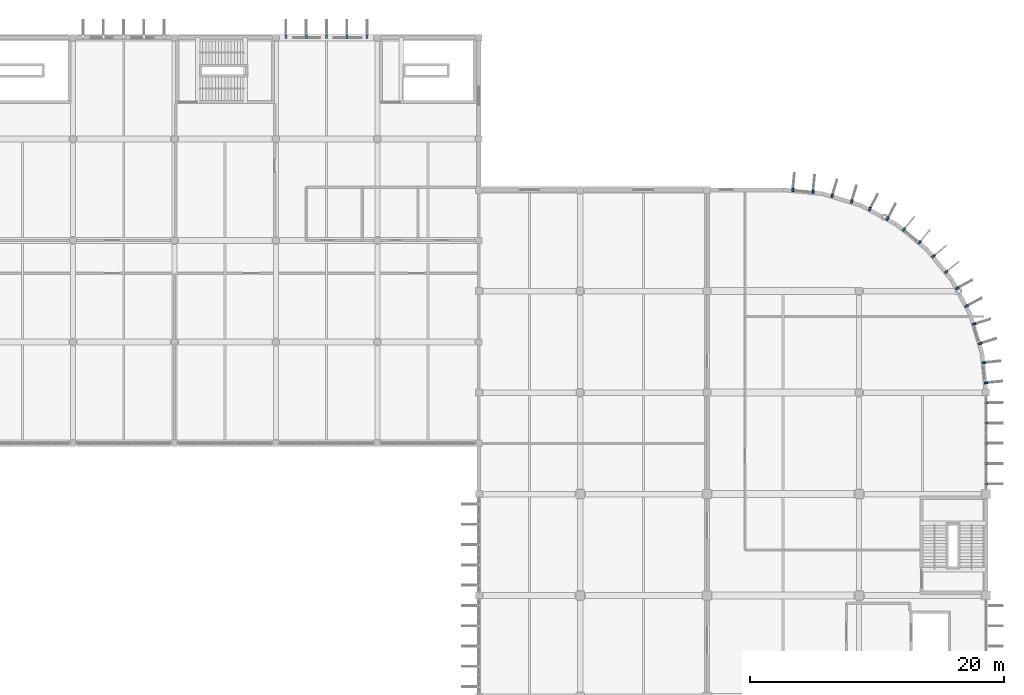
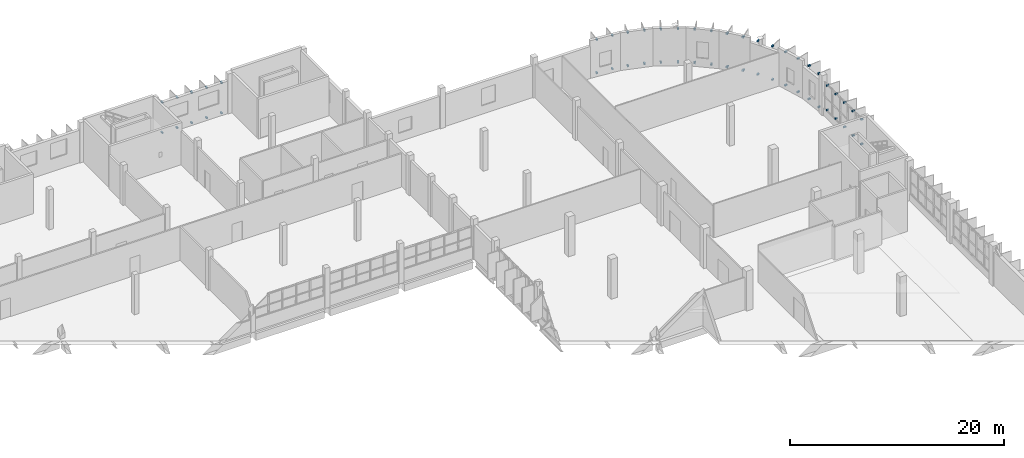
# One storey, part 85 of 93: 52 discrete accessories.
"""IFC4 building model written with IfcOpenShell, lengths in metres."""

from ifc_helpers import new_model, si_unit, direction, frame, origin, origin_2d, place, context, subcontext, project, spatial, rectangle, extrude, material, type_object, element, save


model = new_model("IFC4")

# Units and contexts
model_context = context("Model", 3, precision=1e-05, world=origin(), true_north=direction((0.0, 1.0)))
body_context = subcontext(model_context, "Body", "Model", "MODEL_VIEW")
ifc_project = project(units=[si_unit("LENGTHUNIT", "METRE"), si_unit("AREAUNIT", "SQUARE_METRE"), si_unit("VOLUMEUNIT", "CUBIC_METRE"), si_unit("PLANEANGLEUNIT", "RADIAN"), si_unit("MASSUNIT", "GRAM", prefix="KILO")], contexts=[model_context])

# Site, building, storey
site_placement = place(None, origin())
site = spatial("IfcSite", under=ifc_project, at=site_placement, CompositionType="ELEMENT")
building_placement = place(site_placement, origin())
building = spatial("IfcBuilding", under=site, at=building_placement, Name="Drelvana Railside Aquatics Centre", CompositionType="ELEMENT")
storey_placement = place(building_placement, frame((0.0, 0.0, 5.39990234375)))
storey = spatial("IfcBuildingStorey", under=building, at=storey_placement, Name="L01", CompositionType="ELEMENT", Elevation=5.39990234375)

# Discrete accessories
ifc_material = material(Name="Stainless steel 316 facade bracket", Category="steel")
discrete_accessory_type = type_object("IfcDiscreteAccessoryType", Name="ACC-BRACKET-FIN", PredefinedType="BRACKET", material=ifc_material)
for number, where, z_axis, x_axis, name in (
    (1, (128.800048828125, 116.0849609375, 0.06494140625), (0.0, 0.0, 1.0), (0.0, 1.0, 0.0), "Shading fin bracket BK-0995"),
    (2, (128.800048828125, 116.0849609375, 3.52490234375), (0.0, 0.0, 1.0), (0.0, 1.0, 0.0), "Shading fin bracket BK-0996"),
    (3, (130.39990234375, 116.0849609375, 0.06494140625), (0.0, 0.0, 1.0), (0.0, 1.0, 0.0), "Shading fin bracket BK-0997"),
    (4, (130.39990234375, 116.0849609375, 3.52490234375), (0.0, 0.0, 1.0), (0.0, 1.0, 0.0), "Shading fin bracket BK-0998"),
    (5, (132.0, 116.0849609375, 0.06494140625), (0.0, 0.0, 1.0), (0.0, 1.0, 0.0), "Shading fin bracket BK-0999"),
    (6, (132.0, 116.0849609375, 3.52490234375), (0.0, 0.0, 1.0), (0.0, 1.0, 0.0), "Shading fin bracket BK-1000"),
    (7, (133.60009765625, 116.0849609375, 0.06494140625), (0.0, 0.0, 1.0), (0.0, 1.0, 0.0), "Shading fin bracket BK-1001"),
    (8, (133.60009765625, 116.0849609375, 3.52490234375), (0.0, 0.0, 1.0), (0.0, 1.0, 0.0), "Shading fin bracket BK-1002"),
    (9, (135.199951171875, 116.0849609375, 0.06494140625), (0.0, 0.0, 1.0), (0.0, 1.0, 0.0), "Shading fin bracket BK-1003"),
    (10, (135.199951171875, 116.0849609375, 3.52490234375), (0.0, 0.0, 1.0), (0.0, 1.0, 0.0), "Shading fin bracket BK-1004"),
    (11, (184.010009765625, 80.800048828125, 0.81494140625), (0.0, 0.0, 1.0), (1.0, 0.0, 0.0), "Shading fin bracket BK-1625"),
    (12, (184.010009765625, 80.800048828125, 3.625), (0.0, 0.0, 1.0), (1.0, 0.0, 0.0), "Shading fin bracket BK-1626"),
    (13, (184.010009765625, 82.39990234375, 0.81494140625), (0.0, 0.0, 1.0), (1.0, 0.0, 0.0), "Shading fin bracket BK-1627"),
    (14, (184.010009765625, 82.39990234375, 3.625), (0.0, 0.0, 1.0), (1.0, 0.0, 0.0), "Shading fin bracket BK-1628"),
    (15, (184.010009765625, 84.0, 0.81494140625), (0.0, 0.0, 1.0), (1.0, 0.0, 0.0), "Shading fin bracket BK-1629"),
    (16, (184.010009765625, 84.0, 3.625), (0.0, 0.0, 1.0), (1.0, 0.0, 0.0), "Shading fin bracket BK-1630"),
    (17, (184.010009765625, 85.60009765625, 0.81494140625), (0.0, 0.0, 1.0), (1.0, 0.0, 0.0), "Shading fin bracket BK-1631"),
    (18, (184.010009765625, 85.60009765625, 3.625), (0.0, 0.0, 1.0), (1.0, 0.0, 0.0), "Shading fin bracket BK-1632"),
    (19, (184.010009765625, 87.199951171875, 0.81494140625), (0.0, 0.0, 1.0), (1.0, 0.0, 0.0), "Shading fin bracket BK-1633"),
    (20, (184.010009765625, 87.199951171875, 3.625), (0.0, 0.0, 1.0), (1.0, 0.0, 0.0), "Shading fin bracket BK-1634"),
    (21, (183.999267578125, 88.77197265625, 0.21533203125), (0.0, 0.0, 1.0), (0.995184726672, 0.09801714033, 0.0), "Shading fin bracket BK-1755"),
    (22, (183.999267578125, 88.77197265625, 4.02490234375), (0.0, 0.0, 1.0), (0.995184726672, 0.09801714033, 0.0), "Shading fin bracket BK-1756"),
    (23, (183.842529296875, 90.3642578125, 0.21533203125), (0.0, 0.0, 1.0), (0.995184726672, 0.09801714033, 0.0), "Shading fin bracket BK-1757"),
    (24, (183.842529296875, 90.3642578125, 4.02490234375), (0.0, 0.0, 1.0), (0.995184726672, 0.09801714033, 0.0), "Shading fin bracket BK-1758"),
    (25, (183.541259765625, 91.87841796875, 0.21533203125), (0.0, 0.0, 1.0), (0.956940335732, 0.290284677254, 0.0), "Shading fin bracket BK-1763"),
    (26, (183.541259765625, 91.87841796875, 4.02490234375), (0.0, 0.0, 1.0), (0.956940335732, 0.290284677254, 0.0), "Shading fin bracket BK-1764"),
    (27, (183.076904296875, 93.409423828125, 0.21533203125), (0.0, 0.0, 1.0), (0.956940335732, 0.290284677254, 0.0), "Shading fin bracket BK-1765"),
    (28, (183.076904296875, 93.409423828125, 4.02490234375), (0.0, 0.0, 1.0), (0.956940335732, 0.290284677254, 0.0), "Shading fin bracket BK-1766"),
    (29, (182.486083984375, 94.835693359375, 0.21533203125), (0.0, 0.0, 1.0), (0.881921264348, 0.471396736826, 0.0), "Shading fin bracket BK-1771"),
    (30, (182.486083984375, 94.835693359375, 4.02490234375), (0.0, 0.0, 1.0), (0.881921264348, 0.471396736826, 0.0), "Shading fin bracket BK-1772"),
    (31, (181.731689453125, 96.246826171875, 0.21533203125), (0.0, 0.0, 1.0), (0.881921264348, 0.471396736826, 0.0), "Shading fin bracket BK-1773"),
    (32, (181.731689453125, 96.246826171875, 4.02490234375), (0.0, 0.0, 1.0), (0.881921264348, 0.471396736826, 0.0), "Shading fin bracket BK-1774"),
    (33, (180.8740234375, 97.530517578125, 0.21533203125), (0.0, 0.0, 1.0), (0.773010453363, 0.634393284164, 0.0), "Shading fin bracket BK-1779"),
    (34, (180.8740234375, 97.530517578125, 4.02490234375), (0.0, 0.0, 1.0), (0.773010453363, 0.634393284164, 0.0), "Shading fin bracket BK-1780"),
    (35, (179.859130859375, 98.767333984375, 0.21533203125), (0.0, 0.0, 1.0), (0.773010453363, 0.634393284164, 0.0), "Shading fin bracket BK-1781"),
    (36, (179.859130859375, 98.767333984375, 4.02490234375), (0.0, 0.0, 1.0), (0.773010453363, 0.634393284164, 0.0), "Shading fin bracket BK-1782"),
    (37, (178.767333984375, 99.859130859375, 0.21533203125), (0.0, 0.0, 1.0), (0.634393284164, 0.773010453363, 0.0), "Shading fin bracket BK-1787"),
    (38, (178.767333984375, 99.859130859375, 4.02490234375), (0.0, 0.0, 1.0), (0.634393284164, 0.773010453363, 0.0), "Shading fin bracket BK-1788"),
    (39, (177.530517578125, 100.8740234375, 0.21533203125), (0.0, 0.0, 1.0), (0.634393284164, 0.773010453363, 0.0), "Shading fin bracket BK-1789"),
    (40, (177.530517578125, 100.8740234375, 4.02490234375), (0.0, 0.0, 1.0), (0.634393284164, 0.773010453363, 0.0), "Shading fin bracket BK-1790"),
    (41, (176.246826171875, 101.731689453125, 0.21533203125), (0.0, 0.0, 1.0), (0.471396736826, 0.881921264348, 0.0), "Shading fin bracket BK-1795"),
    (42, (176.246826171875, 101.731689453125, 4.02490234375), (0.0, 0.0, 1.0), (0.471396736826, 0.881921264348, 0.0), "Shading fin bracket BK-1796"),
    (43, (174.835693359375, 102.486083984375, 0.21533203125), (0.0, 0.0, 1.0), (0.471396736826, 0.881921264348, 0.0), "Shading fin bracket BK-1797"),
    (44, (174.835693359375, 102.486083984375, 4.02490234375), (0.0, 0.0, 1.0), (0.471396736826, 0.881921264348, 0.0), "Shading fin bracket BK-1798"),
    (45, (173.409423828125, 103.076904296875, 0.21533203125), (0.0, 0.0, 1.0), (0.290284677254, 0.956940335732, 0.0), "Shading fin bracket BK-1803"),
    (46, (173.409423828125, 103.076904296875, 4.02490234375), (0.0, 0.0, 1.0), (0.290284677254, 0.956940335732, 0.0), "Shading fin bracket BK-1804"),
    (47, (171.87841796875, 103.541259765625, 0.21533203125), (0.0, 0.0, 1.0), (0.290284677254, 0.956940335732, 0.0), "Shading fin bracket BK-1805"),
    (48, (171.87841796875, 103.541259765625, 4.02490234375), (0.0, 0.0, 1.0), (0.290284677254, 0.956940335732, 0.0), "Shading fin bracket BK-1806"),
    (49, (170.3642578125, 103.842529296875, 0.21533203125), (0.0, 0.0, 1.0), (0.09801714033, 0.995184726672, 0.0), "Shading fin bracket BK-1811"),
    (50, (170.3642578125, 103.842529296875, 4.02490234375), (0.0, 0.0, 1.0), (0.09801714033, 0.995184726672, 0.0), "Shading fin bracket BK-1812"),
    (51, (168.77197265625, 103.999267578125, 0.21533203125), (0.0, 0.0, 1.0), (0.09801714033, 0.995184726672, 0.0), "Shading fin bracket BK-1813"),
    (52, (168.77197265625, 103.999267578125, 4.02490234375), (0.0, 0.0, 1.0), (0.09801714033, 0.995184726672, 0.0), "Shading fin bracket BK-1814"),
):
    element("IfcDiscreteAccessory", number, at=place(storey_placement, frame(where, z_axis=z_axis, x_axis=x_axis)), inside=storey, type_object=discrete_accessory_type, Name=name, PredefinedType="BRACKET", context=body_context, shape_type="SweptSolid", body=[
        extrude(rectangle(XDim=0.280029296875, YDim=0.159912109375, at=origin_2d()), origin(), (0.0, 0.0, 1.0), 0.159912109375),
    ])

save(model, "model.ifc")
